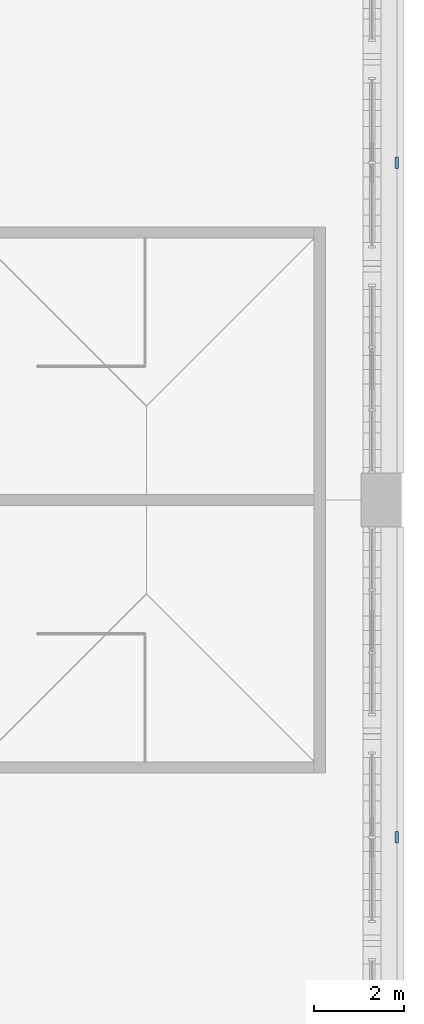
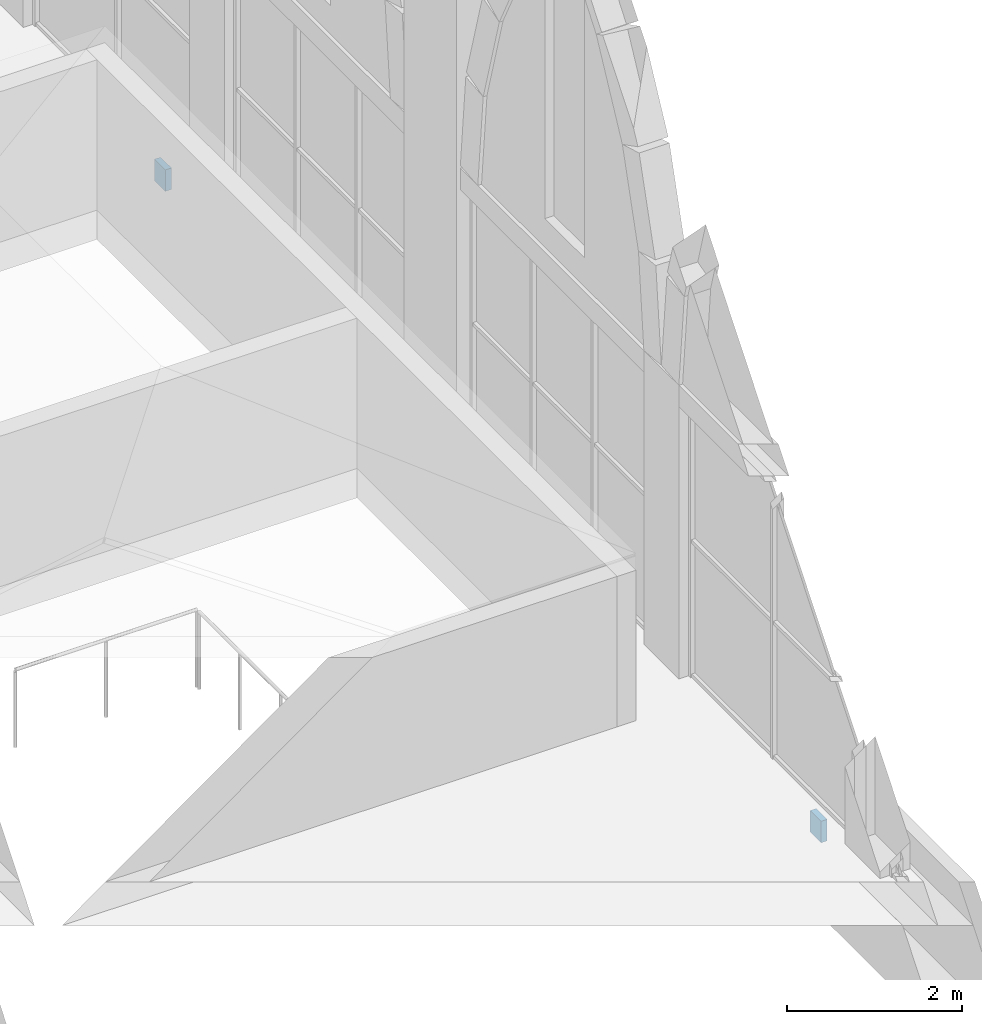
# One storey, part 100 of 130: 2 discrete accessories.
"""IFC4 building model written with IfcOpenShell, lengths in metres."""

from ifc_helpers import new_model, si_unit, direction, frame, origin, origin_2d, place, context, subcontext, project, spatial, rectangle, extrude, material, layer, layer_set, type_object, element, save


model = new_model("IFC4")

# Units and contexts
model_context = context("Model", 3, precision=1e-05, world=origin(), true_north=direction((0.0, 1.0)))
body_context = subcontext(model_context, "Body", "Model", "MODEL_VIEW")
ifc_project = project(units=[si_unit("LENGTHUNIT", "METRE"), si_unit("AREAUNIT", "SQUARE_METRE"), si_unit("VOLUMEUNIT", "CUBIC_METRE"), si_unit("PLANEANGLEUNIT", "RADIAN"), si_unit("MASSUNIT", "GRAM", prefix="KILO")], contexts=[model_context])

# Site, building, storey
site_placement = place(None, origin())
site = spatial("IfcSite", under=ifc_project, at=site_placement, CompositionType="ELEMENT")
building_placement = place(site_placement, origin())
building = spatial("IfcBuilding", under=site, at=building_placement, Name="Ogive Plaza Stadium", CompositionType="ELEMENT")
storey_placement = place(building_placement, frame((0.0, 0.0, 22.5)))
storey = spatial("IfcBuildingStorey", under=building, at=storey_placement, Name="L05", CompositionType="ELEMENT", Elevation=22.5)

# Discrete accessories
ifc_material = material(Name="Steel ASTM A572 Grade 50", Category="steel")
ifc_layer = layer(ifc_material, 0.080078125)
ifc_layer_set = layer_set([ifc_layer], Name="Steel ASTM A572 Grade 50")
discrete_accessory_type = type_object("IfcDiscreteAccessoryType", Name="Spandrel cladding bracket 250x300", PredefinedType="BRACKET", material=ifc_layer_set)
for number, where, z_axis, x_axis, name in (
    (1, (84.35009765625, 45.0, -1.31005859375), (0.0, 0.0, 1.0), (0.0, -1.0, 0.0), "SPANDREL BRACKET B01 L05"),
    (2, (84.35009765625, 30.0, -1.31005859375), (0.0, 0.0, 1.0), (0.0, -1.0, 0.0), "SPANDREL BRACKET B02 L05"),
):
    element("IfcDiscreteAccessory", number, at=place(storey_placement, frame(where, z_axis=z_axis, x_axis=x_axis)), inside=storey, type_object=discrete_accessory_type, Name=name, PredefinedType="BRACKET", context=body_context, shape_type="SweptSolid", body=[
        extrude(rectangle(XDim=0.25, YDim=0.080078125, at=origin_2d()), origin(), (0.0, 0.0, 1.0), 0.300048828125),
    ])

save(model, "model.ifc")
